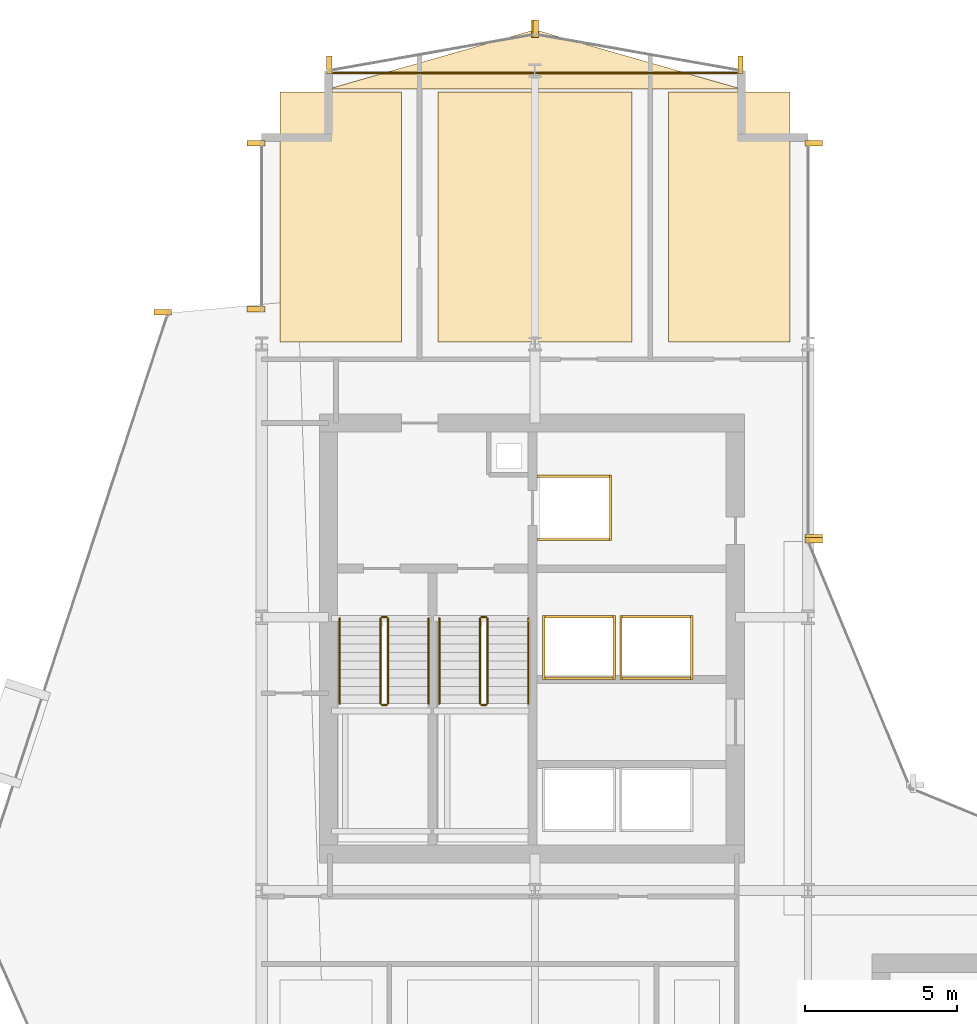
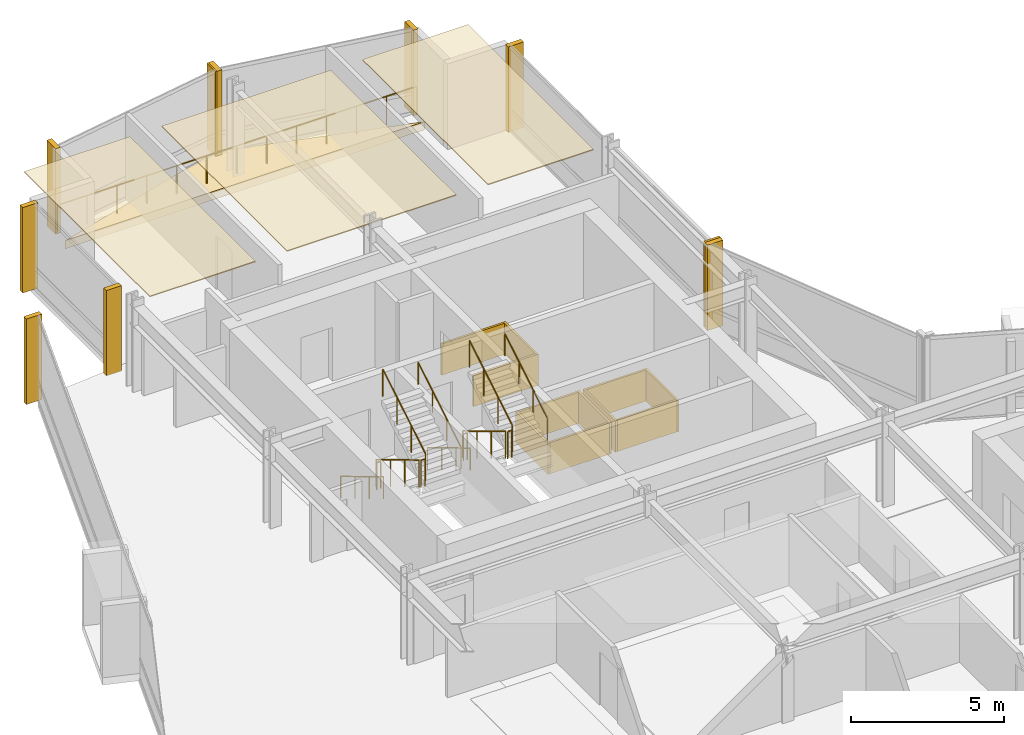
# One storey, part 33 of 34: 25 coverings, 13 railings.
"""IFC4 building model written with IfcOpenShell, lengths in metres."""

from ifc_helpers import new_model, si_unit, direction, frame, origin, origin_2d, place, context, subcontext, project, spatial, polyline, rectangle, circle, outline, extrude, material, layer, layer_set, type_object, element, save


model = new_model("IFC4")

# Units and contexts
model_context = context("Model", 3, precision=1e-05, world=origin(), true_north=direction((0.0, 1.0)))
body_context = subcontext(model_context, "Body", "Model", "MODEL_VIEW")
ifc_project = project(units=[si_unit("LENGTHUNIT", "METRE"), si_unit("AREAUNIT", "SQUARE_METRE"), si_unit("VOLUMEUNIT", "CUBIC_METRE"), si_unit("PLANEANGLEUNIT", "RADIAN"), si_unit("MASSUNIT", "GRAM", prefix="KILO")], contexts=[model_context])

# Site, building, storey
site_placement = place(None, origin())
site = spatial("IfcSite", under=ifc_project, at=site_placement, CompositionType="ELEMENT")
building_placement = place(site_placement, origin())
building = spatial("IfcBuilding", under=site, at=building_placement, Name="Solvaryn Broadcast Tower", CompositionType="ELEMENT")
storey_placement = place(building_placement, frame((0.0, 0.0, 69.300048828125)))
storey = spatial("IfcBuildingStorey", under=building, at=storey_placement, Name="L16", CompositionType="ELEMENT", Elevation=69.300048828125)

# Coverings
ifc_material_1 = material(Name="Micro-Perforated Acoustic Gypsum Ceiling", Category="concrete")
ifc_layer_1 = layer(ifc_material_1, 0.0400390625)
ifc_layer_set_1 = layer_set([ifc_layer_1], Name="CV-CEIL-ACOUSTIC")
covering_type_1 = type_object("IfcCoveringType", Name="CV-CEIL-ACOUSTIC", PredefinedType="CEILING", material=ifc_layer_set_1)
covering_1_placement = place(storey_placement, frame((0.0, 0.0, 3.3798828125)))
element("IfcCovering", 1, at=covering_1_placement, inside=storey, type_object=covering_type_1, Name="L16 Room Acoustic Ceiling 7", PredefinedType="CEILING", context=body_context, shape_type="SweptSolid", body=[
    extrude(outline(polyline([(9.60009765625, 45.070068359375), (13.60009765625, 45.070068359375), (13.60009765625, 53.300048828125), (9.60009765625, 53.300048828125), (9.60009765625, 45.070068359375)])), origin(), (0.0, 0.0, 1.0), 0.0400390625),
])
covering_2_placement = place(storey_placement, frame((0.0, 0.0, 3.3798828125)))
element("IfcCovering", 2, at=covering_2_placement, inside=storey, type_object=covering_type_1, Name="L16 Room Acoustic Ceiling 8", PredefinedType="CEILING", context=body_context, shape_type="SweptSolid", body=[
    extrude(outline(polyline([(14.800048828125, 45.070068359375), (21.199951171875, 45.070068359375), (21.199951171875, 53.300048828125), (14.800048828125, 53.300048828125), (14.800048828125, 45.070068359375)])), origin(), (0.0, 0.0, 1.0), 0.0400390625),
])
covering_3_placement = place(storey_placement, frame((0.0, 0.0, 3.3798828125)))
element("IfcCovering", 3, at=covering_3_placement, inside=storey, type_object=covering_type_1, Name="L16 Room Acoustic Ceiling 9", PredefinedType="CEILING", context=body_context, shape_type="SweptSolid", body=[
    extrude(outline(polyline([(22.39990234375, 45.070068359375), (26.39990234375, 45.070068359375), (26.39990234375, 53.300048828125), (22.39990234375, 53.300048828125), (22.39990234375, 45.070068359375)])), origin(), (0.0, 0.0, 1.0), 0.0400390625),
])
ifc_material_2 = material(Name="Fire-Rated Gypsum Shaftwall Liner", Category="concrete")
ifc_layer_2 = layer(ifc_material_2, 0.080078125)
ifc_layer_set_2 = layer_set([ifc_layer_2], Name="CV-SHAFT-LINER")
covering_type_2 = type_object("IfcCoveringType", Name="CV-SHAFT-LINER", PredefinedType="CLADDING", material=ifc_layer_set_2)
for number, where, z_axis, x_axis, name in (
    (4, (19.300048828125, 40.639892578125, 0.0), (0.0, 0.0, 1.0), (1.0, 0.0, 0.0), "L16 FL1 Hoistway Shaft Liner North"),
    (5, (19.300048828125, 38.56005859375, 0.0), (0.0, 0.0, 1.0), (1.0, 0.0, 0.0), "L16 FL1 Hoistway Shaft Liner South"),
):
    element("IfcCovering", number, at=place(storey_placement, frame(where, z_axis=z_axis, x_axis=x_axis)), inside=storey, type_object=covering_type_2, Name=name, PredefinedType="CLADDING", context=body_context, shape_type="SweptSolid", body=[
        extrude(rectangle(XDim=2.4599609375, YDim=0.080078125, at=origin_2d()), origin(), (0.0, 0.0, 1.0), 1.25),
    ])
covering_4_placement = place(storey_placement, frame((20.489990234375, 39.60009765625, 0.0), z_axis=(0.0, 0.0, 1.0), x_axis=(1.0, 0.0, 0.0)))
element("IfcCovering", 6, at=covering_4_placement, inside=storey, type_object=covering_type_2, Name="L16 FL1 Hoistway Shaft Liner East", PredefinedType="CLADDING", context=body_context, shape_type="SweptSolid", body=[
    extrude(rectangle(XDim=0.080078125, YDim=2.159912109375, at=origin_2d()), origin(), (0.0, 0.0, 1.0), 1.25),
])
for number, where, z_axis, x_axis, name in (
    (7, (19.449951171875, 36.014892578125, 0.0), (0.0, 0.0, 1.0), (1.0, 0.0, 0.0), "L16 PH3 Hoistway Shaft Liner North"),
    (8, (19.449951171875, 33.985107421875, 0.0), (0.0, 0.0, 1.0), (1.0, 0.0, 0.0), "L16 PH3 Hoistway Shaft Liner South"),
):
    element("IfcCovering", number, at=place(storey_placement, frame(where, z_axis=z_axis, x_axis=x_axis)), inside=storey, type_object=covering_type_2, Name=name, PredefinedType="CLADDING", context=body_context, shape_type="SweptSolid", body=[
        extrude(rectangle(XDim=2.409912109375, YDim=0.080078125, at=origin_2d()), origin(), (0.0, 0.0, 1.0), 1.25),
    ])
for number, where, z_axis, x_axis, name in (
    (9, (20.614990234375, 35.0, 0.0), (0.0, 0.0, 1.0), (1.0, 0.0, 0.0), "L16 PH3 Hoistway Shaft Liner East"),
    (10, (18.284912109375, 35.0, 0.0), (0.0, 0.0, 1.0), (1.0, 0.0, 0.0), "L16 PH3 Hoistway Shaft Liner West"),
):
    element("IfcCovering", number, at=place(storey_placement, frame(where, z_axis=z_axis, x_axis=x_axis)), inside=storey, type_object=covering_type_2, Name=name, PredefinedType="CLADDING", context=body_context, shape_type="SweptSolid", body=[
        extrude(rectangle(XDim=0.080078125, YDim=2.110107421875, at=origin_2d()), origin(), (0.0, 0.0, 1.0), 1.25),
    ])
for number, where, z_axis, x_axis, name in (
    (11, (22.0, 36.014892578125, 0.0), (0.0, 0.0, 1.0), (1.0, 0.0, 0.0), "L16 PH4 Hoistway Shaft Liner North"),
    (12, (22.0, 33.985107421875, 0.0), (0.0, 0.0, 1.0), (1.0, 0.0, 0.0), "L16 PH4 Hoistway Shaft Liner South"),
):
    element("IfcCovering", number, at=place(storey_placement, frame(where, z_axis=z_axis, x_axis=x_axis)), inside=storey, type_object=covering_type_2, Name=name, PredefinedType="CLADDING", context=body_context, shape_type="SweptSolid", body=[
        extrude(rectangle(XDim=2.409912109375, YDim=0.080078125, at=origin_2d()), origin(), (0.0, 0.0, 1.0), 1.25),
    ])
for number, where, z_axis, x_axis, name in (
    (13, (23.1650390625, 35.0, 0.0), (0.0, 0.0, 1.0), (1.0, 0.0, 0.0), "L16 PH4 Hoistway Shaft Liner East"),
    (14, (20.8349609375, 35.0, 0.0), (0.0, 0.0, 1.0), (1.0, 0.0, 0.0), "L16 PH4 Hoistway Shaft Liner West"),
):
    element("IfcCovering", number, at=place(storey_placement, frame(where, z_axis=z_axis, x_axis=x_axis)), inside=storey, type_object=covering_type_2, Name=name, PredefinedType="CLADDING", context=body_context, shape_type="SweptSolid", body=[
        extrude(rectangle(XDim=0.080078125, YDim=2.110107421875, at=origin_2d()), origin(), (0.0, 0.0, 1.0), 1.25),
    ])
ifc_material_3 = material(Name="Extruded Architectural Terracotta Fin", Category="masonry")
ifc_layer_3 = layer(ifc_material_3, 0.179931640625)
ifc_layer_set_3 = layer_set([ifc_layer_3], Name="CV-TC-FIN")
covering_type_3 = type_object("IfcCoveringType", Name="CV-TC-FIN", PredefinedType="USERDEFINED", material=ifc_layer_set_3)
for number, where, z_axis, x_axis, name in (
    (15, (5.735595703125, 46.043701171875, 0.0), (0.0, 0.0, 1.0), (1.0, 0.0, 0.0), "L16 Terracotta Vertical Fin FIN-L16-DR1-M00"),
    (16, (8.8125, 46.14599609375, 0.0), (0.0, 0.0, 1.0), (1.0, 0.0, 0.0), "L16 Terracotta Vertical Fin FIN-L16-W2-M00"),
    (17, (8.8125, 51.6201171875, 0.0), (0.0, 0.0, 1.0), (1.0, 0.0, 0.0), "L16 Terracotta Vertical Fin FIN-L16-W2-M01"),
    (18, (27.1875, 51.6201171875, 0.0), (0.0, 0.0, 1.0), (1.0, 0.0, 0.0), "L16 Terracotta Vertical Fin FIN-L16-IV-M00"),
    (19, (27.1875, 38.6298828125, 0.0), (0.0, 0.0, 1.0), (1.0, 0.0, 0.0), "L16 Terracotta Vertical Fin FIN-L16-IV-M01"),
    (20, (27.177978515625, 38.541259765625, 0.0), (0.0, 0.0, 1.0), (1.0, 0.0, 0.0), "L16 Terracotta Vertical Fin FIN-L16-CN2-M01"),
):
    element("IfcCovering", number, at=place(storey_placement, frame(where, z_axis=z_axis, x_axis=x_axis)), inside=storey, type_object=covering_type_3, Name=name, ObjectType="FIN", PredefinedType="USERDEFINED", context=body_context, shape_type="SweptSolid", body=[
        extrude(rectangle(XDim=0.580078125, YDim=0.179931640625, at=origin_2d()), origin(), (0.0, 0.0, 1.0), 3.419921875),
    ])
for number, where, z_axis, x_axis, name in (
    (21, (24.7705078125, 54.192626953125, 0.0), (0.0, 0.0, 1.0), (1.0, 0.0, 0.0), "L16 Terracotta Vertical Fin FIN-L16-NT1-M00"),
    (22, (18.029541015625, 55.38232421875, 0.0), (0.0, 0.0, 1.0), (1.0, 0.0, 0.0), "L16 Terracotta Vertical Fin FIN-L16-NT1-M01"),
    (23, (17.970458984375, 55.38232421875, 0.0), (0.0, 0.0, 1.0), (1.0, 0.0, 0.0), "L16 Terracotta Vertical Fin FIN-L16-NT2-M00"),
    (24, (11.2294921875, 54.192626953125, 0.0), (0.0, 0.0, 1.0), (1.0, 0.0, 0.0), "L16 Terracotta Vertical Fin FIN-L16-NT2-M01"),
):
    element("IfcCovering", number, at=place(storey_placement, frame(where, z_axis=z_axis, x_axis=x_axis)), inside=storey, type_object=covering_type_3, Name=name, ObjectType="FIN", PredefinedType="USERDEFINED", context=body_context, shape_type="SweptSolid", body=[
        extrude(rectangle(XDim=0.179931640625, YDim=0.580078125, at=origin_2d()), origin(), (0.0, 0.0, 1.0), 3.419921875),
    ])
ifc_material_4 = material(Name="Sculpted Architectural Terracotta Wave Fascia", Category="masonry")
ifc_layer_4 = layer(ifc_material_4, 0.340087890625)
ifc_layer_set_4 = layer_set([ifc_layer_4], Name="CV-WAVE-TRAY")
covering_type_4 = type_object("IfcCoveringType", Name="CV-WAVE-TRAY", PredefinedType="CLADDING", material=ifc_layer_set_4)
covering_5_placement = place(storey_placement, frame((0.0, 0.0, -0.300048828125)))
element("IfcCovering", 25, at=covering_5_placement, inside=storey, type_object=covering_type_4, Name="L16 North Curved Wing Deck", PredefinedType="CLADDING", context=body_context, shape_type="SweptSolid", body=[
    extrude(outline(polyline([(11.199951171875, 53.39990234375), (24.800048828125, 53.39990234375), (18.0, 55.35009765625), (11.199951171875, 53.39990234375)])), origin(), (0.0, 0.0, 1.0), 0.330078125),
])

# Railings
ifc_material_5 = material(Name="Painted Steel Stair Well Guard", Category="steel")
railing_type_1 = type_object("IfcRailingType", Name="RL-STAIR-GUARD", PredefinedType="BALUSTRADE", material=ifc_material_5)
railing_1_placement = place(storey_placement, frame((12.909912109375, 35.9599609375, 0.168212890625)))
element("IfcRailing", 26, at=railing_1_placement, inside=storey, type_object=railing_type_1, Name="L16 ST1 stair guard 1", PredefinedType="BALUSTRADE", context=body_context, shape_type="SweptSolid", body=[
    extrude(circle(Radius=0.02392578125, at=origin_2d()), frame((0.0, 0.0, 1.076171875), z_axis=(0.0, -0.857275202839, 0.514858452973), x_axis=(1.0, 0.0, 0.0)), (0.0, 0.0, 1.0), 3.26611328125),
    extrude(circle(Radius=0.02099609375, at=origin_2d()), origin(), (0.0, 0.0, 1.0), 1.052001953125),
    extrude(circle(Radius=0.02099609375, at=origin_2d()), frame((0.0, -0.933349609375, 0.560546875)), (0.0, 0.0, 1.0), 1.052001953125),
    extrude(circle(Radius=0.02099609375, at=origin_2d()), frame((0.0, -1.86669921875, 1.12109375)), (0.0, 0.0, 1.0), 1.052001953125),
    extrude(circle(Radius=0.02099609375, at=origin_2d()), frame((0.0, -2.800048828125, 1.681640625)), (0.0, 0.0, 1.0), 1.052001953125),
])
railing_2_placement = place(storey_placement, frame((12.9599609375, 33.110107421875, 1.849853515625)))
element("IfcRailing", 27, at=railing_2_placement, inside=storey, type_object=railing_type_1, Name="L16 ST1 stair guard 2", PredefinedType="BALUSTRADE", context=body_context, shape_type="SweptSolid", body=[
    extrude(circle(Radius=0.02392578125, at=origin_2d()), frame((0.0, 0.0, 1.076171875), z_axis=(1.0, 0.0, 0.0), x_axis=(0.0, 1.0, 0.0)), (0.0, 0.0, 1.0), 0.150146484375),
    extrude(circle(Radius=0.02099609375, at=origin_2d()), origin(), (0.0, 0.0, 1.0), 1.052001953125),
    extrude(circle(Radius=0.02099609375, at=origin_2d()), frame((0.150146484375, 0.0, 0.0)), (0.0, 0.0, 1.0), 1.052001953125),
])
railing_3_placement = place(storey_placement, frame((13.159912109375, 33.159912109375, 2.01806640625)))
element("IfcRailing", 28, at=railing_3_placement, inside=storey, type_object=railing_type_1, Name="L16 ST1 stair guard 3", PredefinedType="BALUSTRADE", context=body_context, shape_type="SweptSolid", body=[
    extrude(circle(Radius=0.02392578125, at=origin_2d()), frame((0.0, 0.0, 1.076171875), z_axis=(0.0, 0.857242210791, 0.514913383045), x_axis=(-1.0, 0.0, 0.0)), (0.0, 0.0, 1.0), 3.266357421875),
    extrude(circle(Radius=0.02099609375, at=origin_2d()), origin(), (0.0, 0.0, 1.0), 1.052001953125),
    extrude(circle(Radius=0.02099609375, at=origin_2d()), frame((0.0, 0.933349609375, 0.560546875)), (0.0, 0.0, 1.0), 1.052001953125),
    extrude(circle(Radius=0.02099609375, at=origin_2d()), frame((0.0, 1.86669921875, 1.121337890625)), (0.0, 0.0, 1.0), 1.052001953125),
    extrude(circle(Radius=0.02099609375, at=origin_2d()), frame((0.0, 2.800048828125, 1.681884765625)), (0.0, 0.0, 1.0), 1.052001953125),
])
railing_4_placement = place(storey_placement, frame((12.9599609375, 36.010009765625, 0.0)))
element("IfcRailing", 29, at=railing_4_placement, inside=storey, type_object=railing_type_1, Name="L16 ST1 stair guard 4", PredefinedType="BALUSTRADE", context=body_context, shape_type="SweptSolid", body=[
    extrude(circle(Radius=0.02392578125, at=origin_2d()), frame((0.0, 0.0, 1.076171875), z_axis=(1.0, 0.0, 0.0), x_axis=(0.0, 1.0, 0.0)), (0.0, 0.0, 1.0), 0.150146484375),
    extrude(circle(Radius=0.02099609375, at=origin_2d()), origin(), (0.0, 0.0, 1.0), 1.052001953125),
    extrude(circle(Radius=0.02099609375, at=origin_2d()), frame((0.150146484375, 0.0, 0.0)), (0.0, 0.0, 1.0), 1.052001953125),
])
railing_5_placement = place(storey_placement, frame((16.18994140625, 35.9599609375, 0.168212890625)))
element("IfcRailing", 30, at=railing_5_placement, inside=storey, type_object=railing_type_1, Name="L16 ST2 stair guard 1", PredefinedType="BALUSTRADE", context=body_context, shape_type="SweptSolid", body=[
    extrude(circle(Radius=0.02392578125, at=origin_2d()), frame((0.0, 0.0, 1.076171875), z_axis=(0.0, -0.857275202839, 0.514858452973), x_axis=(1.0, 0.0, 0.0)), (0.0, 0.0, 1.0), 3.26611328125),
    extrude(circle(Radius=0.02099609375, at=origin_2d()), origin(), (0.0, 0.0, 1.0), 1.052001953125),
    extrude(circle(Radius=0.02099609375, at=origin_2d()), frame((0.0, -0.933349609375, 0.560546875)), (0.0, 0.0, 1.0), 1.052001953125),
    extrude(circle(Radius=0.02099609375, at=origin_2d()), frame((0.0, -1.86669921875, 1.12109375)), (0.0, 0.0, 1.0), 1.052001953125),
    extrude(circle(Radius=0.02099609375, at=origin_2d()), frame((0.0, -2.800048828125, 1.681640625)), (0.0, 0.0, 1.0), 1.052001953125),
])
railing_6_placement = place(storey_placement, frame((16.239990234375, 33.110107421875, 1.849853515625)))
element("IfcRailing", 31, at=railing_6_placement, inside=storey, type_object=railing_type_1, Name="L16 ST2 stair guard 2", PredefinedType="BALUSTRADE", context=body_context, shape_type="SweptSolid", body=[
    extrude(circle(Radius=0.02392578125, at=origin_2d()), frame((0.0, 0.0, 1.076171875), z_axis=(1.0, 0.0, 0.0), x_axis=(0.0, 1.0, 0.0)), (0.0, 0.0, 1.0), 0.14990234375),
    extrude(circle(Radius=0.02099609375, at=origin_2d()), origin(), (0.0, 0.0, 1.0), 1.052001953125),
    extrude(circle(Radius=0.02099609375, at=origin_2d()), frame((0.14990234375, 0.0, 0.0)), (0.0, 0.0, 1.0), 1.052001953125),
])
railing_7_placement = place(storey_placement, frame((16.43994140625, 33.159912109375, 2.01806640625)))
element("IfcRailing", 32, at=railing_7_placement, inside=storey, type_object=railing_type_1, Name="L16 ST2 stair guard 3", PredefinedType="BALUSTRADE", context=body_context, shape_type="SweptSolid", body=[
    extrude(circle(Radius=0.02392578125, at=origin_2d()), frame((0.0, 0.0, 1.076171875), z_axis=(0.0, 0.857242210791, 0.514913383045), x_axis=(-1.0, 0.0, 0.0)), (0.0, 0.0, 1.0), 3.266357421875),
    extrude(circle(Radius=0.02099609375, at=origin_2d()), origin(), (0.0, 0.0, 1.0), 1.052001953125),
    extrude(circle(Radius=0.02099609375, at=origin_2d()), frame((0.0, 0.933349609375, 0.560546875)), (0.0, 0.0, 1.0), 1.052001953125),
    extrude(circle(Radius=0.02099609375, at=origin_2d()), frame((0.0, 1.86669921875, 1.121337890625)), (0.0, 0.0, 1.0), 1.052001953125),
    extrude(circle(Radius=0.02099609375, at=origin_2d()), frame((0.0, 2.800048828125, 1.681884765625)), (0.0, 0.0, 1.0), 1.052001953125),
])
railing_8_placement = place(storey_placement, frame((16.239990234375, 36.010009765625, 0.0)))
element("IfcRailing", 33, at=railing_8_placement, inside=storey, type_object=railing_type_1, Name="L16 ST2 stair guard 4", PredefinedType="BALUSTRADE", context=body_context, shape_type="SweptSolid", body=[
    extrude(circle(Radius=0.02392578125, at=origin_2d()), frame((0.0, 0.0, 1.076171875), z_axis=(1.0, 0.0, 0.0), x_axis=(0.0, 1.0, 0.0)), (0.0, 0.0, 1.0), 0.14990234375),
    extrude(circle(Radius=0.02099609375, at=origin_2d()), origin(), (0.0, 0.0, 1.0), 1.052001953125),
    extrude(circle(Radius=0.02099609375, at=origin_2d()), frame((0.14990234375, 0.0, 0.0)), (0.0, 0.0, 1.0), 1.052001953125),
])
ifc_material_6 = material(Name="Brushed Stainless Steel Tubular Handrail", Category="steel")
railing_type_2 = type_object("IfcRailingType", Name="RL-STAIR-HANDRAIL", PredefinedType="HANDRAIL", material=ifc_material_6)
railing_9_placement = place(storey_placement, frame((11.570068359375, 35.9599609375, 0.168212890625)))
element("IfcRailing", 34, at=railing_9_placement, inside=storey, type_object=railing_type_2, Name="L16 ST1 stair handrail 1", PredefinedType="HANDRAIL", context=body_context, shape_type="SweptSolid", body=[
    extrude(circle(Radius=0.02392578125, at=origin_2d()), frame((0.0, 0.0, 0.8759765625), z_axis=(0.0, -0.857275202839, 0.514858452973), x_axis=(1.0, 0.0, 0.0)), (0.0, 0.0, 1.0), 3.26611328125),
    extrude(circle(Radius=0.02099609375, at=origin_2d()), origin(), (0.0, 0.0, 1.0), 0.851806640625),
    extrude(circle(Radius=0.02099609375, at=origin_2d()), frame((0.0, -0.933349609375, 0.560546875)), (0.0, 0.0, 1.0), 0.851806640625),
    extrude(circle(Radius=0.02099609375, at=origin_2d()), frame((0.0, -1.86669921875, 1.12109375)), (0.0, 0.0, 1.0), 0.851806640625),
    extrude(circle(Radius=0.02099609375, at=origin_2d()), frame((0.0, -2.800048828125, 1.681640625)), (0.0, 0.0, 1.0), 0.851806640625),
])
railing_10_placement = place(storey_placement, frame((14.5, 33.159912109375, 2.01806640625)))
element("IfcRailing", 35, at=railing_10_placement, inside=storey, type_object=railing_type_2, Name="L16 ST1 stair handrail 2", PredefinedType="HANDRAIL", context=body_context, shape_type="SweptSolid", body=[
    extrude(circle(Radius=0.02392578125, at=origin_2d()), frame((0.0, 0.0, 0.8759765625), z_axis=(0.0, 0.857242210791, 0.514913383045), x_axis=(-1.0, 0.0, 0.0)), (0.0, 0.0, 1.0), 3.266357421875),
    extrude(circle(Radius=0.02099609375, at=origin_2d()), origin(), (0.0, 0.0, 1.0), 0.851806640625),
    extrude(circle(Radius=0.02099609375, at=origin_2d()), frame((0.0, 0.933349609375, 0.560546875)), (0.0, 0.0, 1.0), 0.851806640625),
    extrude(circle(Radius=0.02099609375, at=origin_2d()), frame((0.0, 1.86669921875, 1.121337890625)), (0.0, 0.0, 1.0), 0.851806640625),
    extrude(circle(Radius=0.02099609375, at=origin_2d()), frame((0.0, 2.800048828125, 1.681884765625)), (0.0, 0.0, 1.0), 0.851806640625),
])
railing_11_placement = place(storey_placement, frame((14.85009765625, 35.9599609375, 0.168212890625)))
element("IfcRailing", 36, at=railing_11_placement, inside=storey, type_object=railing_type_2, Name="L16 ST2 stair handrail 1", PredefinedType="HANDRAIL", context=body_context, shape_type="SweptSolid", body=[
    extrude(circle(Radius=0.02392578125, at=origin_2d()), frame((0.0, 0.0, 0.8759765625), z_axis=(0.0, -0.857275202839, 0.514858452973), x_axis=(1.0, 0.0, 0.0)), (0.0, 0.0, 1.0), 3.26611328125),
    extrude(circle(Radius=0.02099609375, at=origin_2d()), origin(), (0.0, 0.0, 1.0), 0.851806640625),
    extrude(circle(Radius=0.02099609375, at=origin_2d()), frame((0.0, -0.933349609375, 0.560546875)), (0.0, 0.0, 1.0), 0.851806640625),
    extrude(circle(Radius=0.02099609375, at=origin_2d()), frame((0.0, -1.86669921875, 1.12109375)), (0.0, 0.0, 1.0), 0.851806640625),
    extrude(circle(Radius=0.02099609375, at=origin_2d()), frame((0.0, -2.800048828125, 1.681640625)), (0.0, 0.0, 1.0), 0.851806640625),
])
railing_12_placement = place(storey_placement, frame((17.780029296875, 33.159912109375, 2.01806640625)))
element("IfcRailing", 37, at=railing_12_placement, inside=storey, type_object=railing_type_2, Name="L16 ST2 stair handrail 2", PredefinedType="HANDRAIL", context=body_context, shape_type="SweptSolid", body=[
    extrude(circle(Radius=0.02392578125, at=origin_2d()), frame((0.0, 0.0, 0.8759765625), z_axis=(0.0, 0.857242210791, 0.514913383045), x_axis=(-1.0, 0.0, 0.0)), (0.0, 0.0, 1.0), 3.266357421875),
    extrude(circle(Radius=0.02099609375, at=origin_2d()), origin(), (0.0, 0.0, 1.0), 0.851806640625),
    extrude(circle(Radius=0.02099609375, at=origin_2d()), frame((0.0, 0.933349609375, 0.560546875)), (0.0, 0.0, 1.0), 0.851806640625),
    extrude(circle(Radius=0.02099609375, at=origin_2d()), frame((0.0, 1.86669921875, 1.121337890625)), (0.0, 0.0, 1.0), 0.851806640625),
    extrude(circle(Radius=0.02099609375, at=origin_2d()), frame((0.0, 2.800048828125, 1.681884765625)), (0.0, 0.0, 1.0), 0.851806640625),
])
ifc_material_7 = material(Name="Stainless Steel and Laminated Glass Guard", Category="steel")
railing_type_3 = type_object("IfcRailingType", Name="RL-TER-1150", PredefinedType="BALUSTRADE", material=ifc_material_7)
railing_13_placement = place(storey_placement, frame((11.199951171875, 53.919921875, 0.0)))
element("IfcRailing", 38, at=railing_13_placement, inside=storey, type_object=railing_type_3, Name="L16 North Wing Spandrel Edge Guard", PredefinedType="BALUSTRADE", context=body_context, shape_type="SweptSolid", body=[
    extrude(circle(Radius=0.02392578125, at=origin_2d()), frame((0.0, 0.0, 1.1259765625), z_axis=(1.0, 0.0, 0.0), x_axis=(0.0, 1.0, 0.0)), (0.0, 0.0, 1.0), 13.60009765625),
    extrude(circle(Radius=0.02099609375, at=origin_2d()), origin(), (0.0, 0.0, 1.0), 1.101806640625),
    extrude(circle(Radius=0.02099609375, at=origin_2d()), frame((1.13330078125, 0.0, 0.0)), (0.0, 0.0, 1.0), 1.101806640625),
    extrude(circle(Radius=0.02099609375, at=origin_2d()), frame((2.2666015625, 0.0, 0.0)), (0.0, 0.0, 1.0), 1.101806640625),
    extrude(circle(Radius=0.02099609375, at=origin_2d()), frame((3.39990234375, 0.0, 0.0)), (0.0, 0.0, 1.0), 1.101806640625),
    extrude(circle(Radius=0.02099609375, at=origin_2d()), frame((4.533447265625, 0.0, 0.0)), (0.0, 0.0, 1.0), 1.101806640625),
    extrude(circle(Radius=0.02099609375, at=origin_2d()), frame((5.666748046875, 0.0, 0.0)), (0.0, 0.0, 1.0), 1.101806640625),
    extrude(circle(Radius=0.02099609375, at=origin_2d()), frame((6.800048828125, 0.0, 0.0)), (0.0, 0.0, 1.0), 1.101806640625),
    extrude(circle(Radius=0.02099609375, at=origin_2d()), frame((7.933349609375, 0.0, 0.0)), (0.0, 0.0, 1.0), 1.101806640625),
    extrude(circle(Radius=0.02099609375, at=origin_2d()), frame((9.066650390625, 0.0, 0.0)), (0.0, 0.0, 1.0), 1.101806640625),
    extrude(circle(Radius=0.02099609375, at=origin_2d()), frame((10.2001953125, 0.0, 0.0)), (0.0, 0.0, 1.0), 1.101806640625),
    extrude(circle(Radius=0.02099609375, at=origin_2d()), frame((11.33349609375, 0.0, 0.0)), (0.0, 0.0, 1.0), 1.101806640625),
    extrude(circle(Radius=0.02099609375, at=origin_2d()), frame((12.466796875, 0.0, 0.0)), (0.0, 0.0, 1.0), 1.101806640625),
    extrude(circle(Radius=0.02099609375, at=origin_2d()), frame((13.60009765625, 0.0, 0.0)), (0.0, 0.0, 1.0), 1.101806640625),
])

save(model, "model.ifc")
